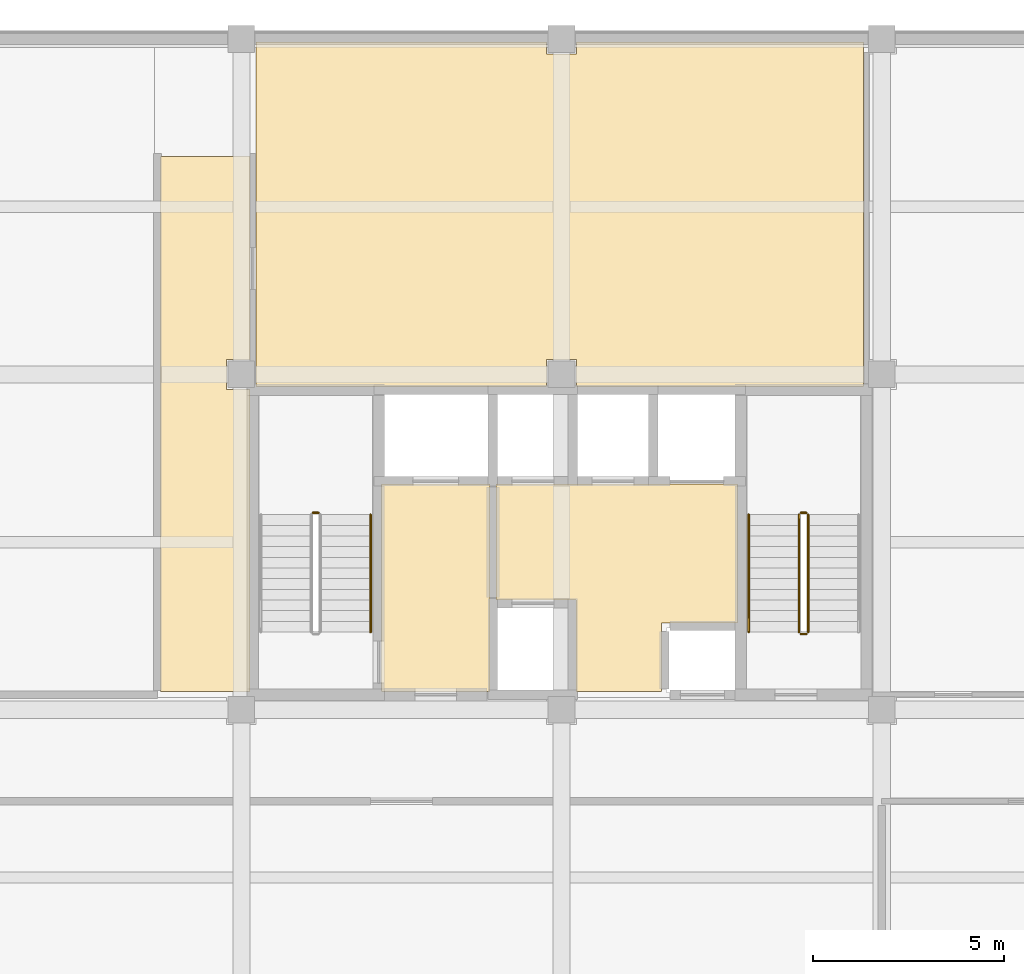
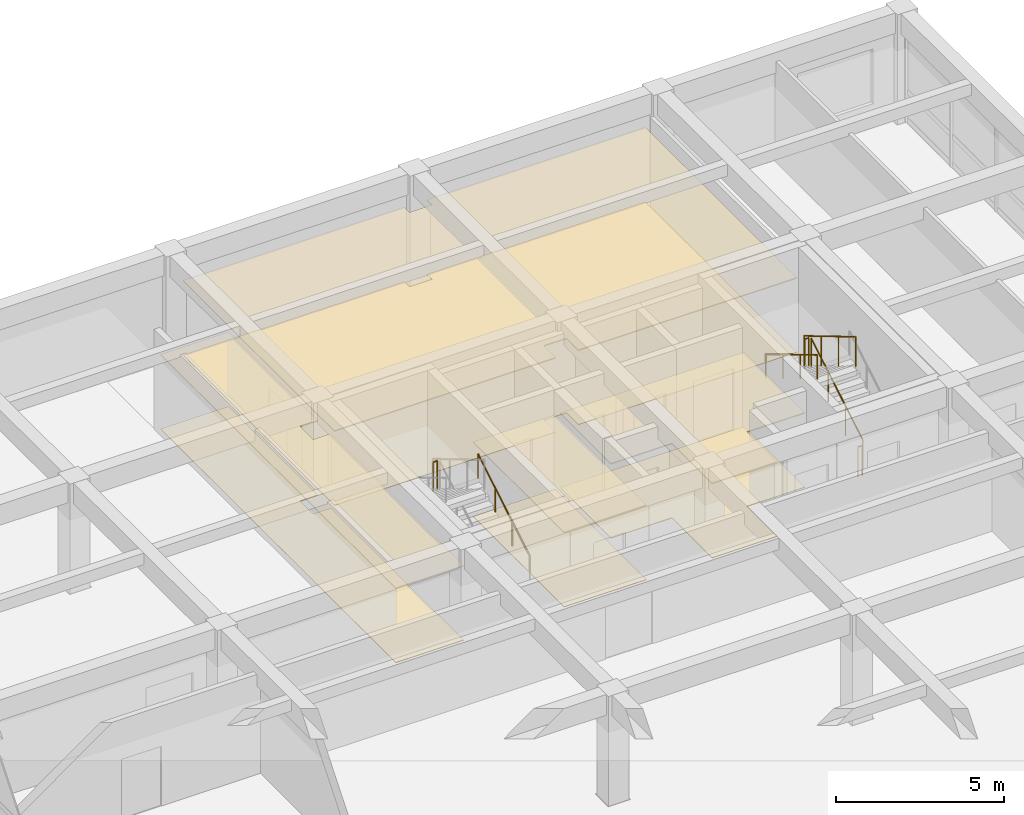
# One storey, part 13 of 14: 8 coverings, 7 railings.
"""IFC4 building model written with IfcOpenShell, lengths in metres."""

from ifc_helpers import new_model, si_unit, direction, frame, origin, origin_2d, place, context, subcontext, project, spatial, polyline, circle, outline, extrude, material, layer, layer_set, type_object, element, save


model = new_model("IFC4")

# Units and contexts
model_context = context("Model", 3, precision=1e-05, world=origin(), true_north=direction((0.0, 1.0)))
body_context = subcontext(model_context, "Body", "Model", "MODEL_VIEW")
ifc_project = project(units=[si_unit("LENGTHUNIT", "METRE"), si_unit("AREAUNIT", "SQUARE_METRE"), si_unit("VOLUMEUNIT", "CUBIC_METRE"), si_unit("PLANEANGLEUNIT", "RADIAN"), si_unit("MASSUNIT", "GRAM", prefix="KILO")], contexts=[model_context])

# Site, building, storey
site_placement = place(None, origin())
site = spatial("IfcSite", under=ifc_project, at=site_placement, CompositionType="ELEMENT")
building_placement = place(site_placement, origin())
building = spatial("IfcBuilding", under=site, at=building_placement, Name="Kemercrest Conservatory and Botanical Centre", CompositionType="ELEMENT")
storey_placement = place(building_placement, frame((0.0, 0.0, 32.800048828125)))
storey = spatial("IfcBuildingStorey", under=building, at=storey_placement, Name="L08", CompositionType="ELEMENT", Elevation=32.800048828125)

# Coverings
ifc_material_1 = material(Name="Perforated acoustic gypsum and mineral-fibre suspended ceiling", Category="gypsum")
ifc_layer_1 = layer(ifc_material_1, 0.034912109375)
ifc_layer_set_1 = layer_set([ifc_layer_1], Name="Perforated acoustic gypsum and mineral-fibre suspended ceiling")
covering_type_1 = type_object("IfcCoveringType", Name="CV-CLG035", PredefinedType="CEILING", material=ifc_layer_set_1)
covering_1_placement = place(storey_placement, frame((0.0, 0.0, 2.699951171875)))
element("IfcCovering", 1, at=covering_1_placement, inside=storey, type_object=covering_type_1, Name="Firefighting Lobby suspended acoustic ceiling", PredefinedType="CEILING", context=body_context, shape_type="SweptSolid", body=[
    extrude(outline(polyline([(154.47998046875, 105.280029296875), (157.320068359375, 105.280029296875), (157.320068359375, 110.719970703125), (154.47998046875, 110.719970703125), (154.47998046875, 105.280029296875)])), origin(), (0.0, 0.0, 1.0), 0.034912109375),
])
covering_2_placement = place(storey_placement, frame((0.0, 0.0, 2.699951171875)))
element("IfcCovering", 2, at=covering_2_placement, inside=storey, type_object=covering_type_1, Name="Tower Lift Lobby suspended acoustic ceiling", PredefinedType="CEILING", context=body_context, shape_type="SweptSolid", body=[
    extrude(outline(polyline([(159.580078125, 107.679931640625), (159.580078125, 105.280029296875), (161.820068359375, 105.280029296875), (161.820068359375, 107.080078125), (163.820068359375, 107.080078125), (163.820068359375, 110.719970703125), (157.47998046875, 110.719970703125), (157.47998046875, 107.679931640625), (159.580078125, 107.679931640625)])), origin(), (0.0, 0.0, 1.0), 0.034912109375),
])
covering_3_placement = place(storey_placement, frame((0.0, 0.0, 2.699951171875)))
element("IfcCovering", 3, at=covering_3_placement, inside=storey, type_object=covering_type_1, Name="Archival Conservation Office suspended acoustic ceiling", PredefinedType="CEILING", context=body_context, shape_type="SweptSolid", body=[
    extrude(outline(polyline([(159.590087890625, 113.280029296875), (167.1201171875, 113.280029296875), (167.1201171875, 122.320068359375), (159.590087890625, 122.320068359375), (159.590087890625, 122.010009765625), (158.81005859375, 122.010009765625), (158.81005859375, 122.320068359375), (151.18994140625, 122.320068359375), (151.18994140625, 122.010009765625), (151.179931640625, 122.010009765625), (151.179931640625, 113.989990234375), (151.18994140625, 113.989990234375), (151.18994140625, 113.280029296875), (158.81005859375, 113.280029296875), (158.81005859375, 113.989990234375), (159.590087890625, 113.989990234375), (159.590087890625, 113.280029296875)])), origin(), (0.0, 0.0, 1.0), 0.034912109375),
])
covering_4_placement = place(storey_placement, frame((0.0, 0.0, 2.699951171875)))
element("IfcCovering", 4, at=covering_4_placement, inside=storey, type_object=covering_type_1, Name="North Core Lobby Branch suspended acoustic ceiling", PredefinedType="CEILING", context=body_context, shape_type="SweptSolid", body=[
    extrude(outline(polyline([(148.679931640625, 105.280029296875), (151.02001953125, 105.280029296875), (151.02001953125, 113.2099609375), (150.409912109375, 113.2099609375), (150.409912109375, 113.989990234375), (151.02001953125, 113.989990234375), (151.02001953125, 119.320068359375), (148.679931640625, 119.320068359375), (148.679931640625, 105.280029296875)])), origin(), (0.0, 0.0, 1.0), 0.034912109375),
])
ifc_material_2 = material(Name="Polished limestone terrazzo and seamless laboratory epoxy flooring", Category="masonry")
ifc_layer_2 = layer(ifc_material_2, 0.02001953125)
ifc_layer_set_2 = layer_set([ifc_layer_2], Name="Polished limestone terrazzo and seamless laboratory epoxy flooring")
covering_type_2 = type_object("IfcCoveringType", Name="CV-FLR020", PredefinedType="FLOORING", material=ifc_layer_set_2)
covering_5_placement = place(storey_placement, origin())
element("IfcCovering", 5, at=covering_5_placement, inside=storey, type_object=covering_type_2, Name="Firefighting Lobby floor finish", PredefinedType="FLOORING", context=body_context, shape_type="SweptSolid", body=[
    extrude(outline(polyline([(154.47998046875, 105.280029296875), (157.320068359375, 105.280029296875), (157.320068359375, 110.719970703125), (154.47998046875, 110.719970703125), (154.47998046875, 105.280029296875)])), origin(), (0.0, 0.0, 1.0), 0.02001953125),
])
covering_6_placement = place(storey_placement, origin())
element("IfcCovering", 6, at=covering_6_placement, inside=storey, type_object=covering_type_2, Name="Tower Lift Lobby floor finish", PredefinedType="FLOORING", context=body_context, shape_type="SweptSolid", body=[
    extrude(outline(polyline([(159.580078125, 107.679931640625), (159.580078125, 105.280029296875), (161.820068359375, 105.280029296875), (161.820068359375, 107.080078125), (163.820068359375, 107.080078125), (163.820068359375, 110.719970703125), (157.47998046875, 110.719970703125), (157.47998046875, 107.679931640625), (159.580078125, 107.679931640625)])), origin(), (0.0, 0.0, 1.0), 0.02001953125),
])
covering_7_placement = place(storey_placement, origin())
element("IfcCovering", 7, at=covering_7_placement, inside=storey, type_object=covering_type_2, Name="Archival Conservation Office floor finish", PredefinedType="FLOORING", context=body_context, shape_type="SweptSolid", body=[
    extrude(outline(polyline([(159.590087890625, 113.280029296875), (167.1201171875, 113.280029296875), (167.1201171875, 122.320068359375), (159.590087890625, 122.320068359375), (159.590087890625, 122.010009765625), (158.81005859375, 122.010009765625), (158.81005859375, 122.320068359375), (151.18994140625, 122.320068359375), (151.18994140625, 122.010009765625), (151.179931640625, 122.010009765625), (151.179931640625, 113.989990234375), (151.18994140625, 113.989990234375), (151.18994140625, 113.280029296875), (158.81005859375, 113.280029296875), (158.81005859375, 113.989990234375), (159.590087890625, 113.989990234375), (159.590087890625, 113.280029296875)])), origin(), (0.0, 0.0, 1.0), 0.02001953125),
])
covering_8_placement = place(storey_placement, origin())
element("IfcCovering", 8, at=covering_8_placement, inside=storey, type_object=covering_type_2, Name="North Core Lobby Branch floor finish", PredefinedType="FLOORING", context=body_context, shape_type="SweptSolid", body=[
    extrude(outline(polyline([(148.679931640625, 105.280029296875), (151.02001953125, 105.280029296875), (151.02001953125, 113.2099609375), (150.409912109375, 113.2099609375), (150.409912109375, 113.989990234375), (151.02001953125, 113.989990234375), (151.02001953125, 119.320068359375), (148.679931640625, 119.320068359375), (148.679931640625, 105.280029296875)])), origin(), (0.0, 0.0, 1.0), 0.02001953125),
])

# Railings
ifc_material_3 = material(Name="Painted galvanized steel tubular stair guardrail", Category="steel")
railing_type_1 = type_object("IfcRailingType", Name="GR-STR110", PredefinedType="GUARDRAIL", material=ifc_material_3)
railing_1_placement = place(storey_placement, frame((152.820068359375, 109.969970703125, 2.0)))
element("IfcRailing", 9, at=railing_1_placement, inside=storey, type_object=railing_type_1, Name="L08 ST-V4A stair guard 2", PredefinedType="GUARDRAIL", context=body_context, shape_type="SweptSolid", body=[
    extrude(circle(Radius=0.02392578125, at=origin_2d()), frame((0.0, 0.0, 1.076171875), z_axis=(-1.0, 0.0, 0.0), x_axis=(0.0, -1.0, 0.0)), (0.0, 0.0, 1.0), 0.14013671875),
    extrude(circle(Radius=0.02099609375, at=origin_2d()), origin(), (0.0, 0.0, 1.0), 1.052001953125),
    extrude(circle(Radius=0.02099609375, at=origin_2d()), frame((-0.14013671875, 0.0, 0.0)), (0.0, 0.0, 1.0), 1.052001953125),
])
railing_2_placement = place(storey_placement, frame((165.669921875, 106.840087890625, 0.16650390625)))
element("IfcRailing", 10, at=railing_2_placement, inside=storey, type_object=railing_type_1, Name="L08 ST-V4B stair guard 1", PredefinedType="GUARDRAIL", context=body_context, shape_type="SweptSolid", body=[
    extrude(circle(Radius=0.02392578125, at=origin_2d()), frame((0.0, 0.0, 1.076171875), z_axis=(0.0, 0.859260807169, 0.511537745687), x_axis=(-1.0, 0.0, 0.0)), (0.0, 0.0, 1.0), 3.584228515625),
    extrude(circle(Radius=0.02099609375, at=origin_2d()), origin(), (0.0, 0.0, 1.0), 1.052001953125),
    extrude(circle(Radius=0.02099609375, at=origin_2d()), frame((0.0, 1.026611328125, 0.611083984375)), (0.0, 0.0, 1.0), 1.052001953125),
    extrude(circle(Radius=0.02099609375, at=origin_2d()), frame((0.0, 2.05322265625, 1.222412109375)), (0.0, 0.0, 1.0), 1.052001953125),
    extrude(circle(Radius=0.02099609375, at=origin_2d()), frame((0.0, 3.079833984375, 1.83349609375)), (0.0, 0.0, 1.0), 1.052001953125),
])
railing_3_placement = place(storey_placement, frame((165.6201171875, 109.969970703125, 2.0)))
element("IfcRailing", 11, at=railing_3_placement, inside=storey, type_object=railing_type_1, Name="L08 ST-V4B stair guard 2", PredefinedType="GUARDRAIL", context=body_context, shape_type="SweptSolid", body=[
    extrude(circle(Radius=0.02392578125, at=origin_2d()), frame((0.0, 0.0, 1.076171875), z_axis=(-1.0, 0.0, 0.0), x_axis=(0.0, -1.0, 0.0)), (0.0, 0.0, 1.0), 0.14013671875),
    extrude(circle(Radius=0.02099609375, at=origin_2d()), origin(), (0.0, 0.0, 1.0), 1.052001953125),
    extrude(circle(Radius=0.02099609375, at=origin_2d()), frame((-0.14013671875, 0.0, 0.0)), (0.0, 0.0, 1.0), 1.052001953125),
])
railing_4_placement = place(storey_placement, frame((165.429931640625, 109.919921875, 2.16650390625)))
element("IfcRailing", 12, at=railing_4_placement, inside=storey, type_object=railing_type_1, Name="L08 ST-V4B stair guard 3", PredefinedType="GUARDRAIL", context=body_context, shape_type="SweptSolid", body=[
    extrude(circle(Radius=0.02392578125, at=origin_2d()), frame((0.0, 0.0, 1.076171875), z_axis=(0.0, -0.859260807169, 0.511537745687), x_axis=(1.0, 0.0, 0.0)), (0.0, 0.0, 1.0), 3.584228515625),
    extrude(circle(Radius=0.02099609375, at=origin_2d()), origin(), (0.0, 0.0, 1.0), 1.052001953125),
    extrude(circle(Radius=0.02099609375, at=origin_2d()), frame((0.0, -1.026611328125, 0.611083984375)), (0.0, 0.0, 1.0), 1.052001953125),
    extrude(circle(Radius=0.02099609375, at=origin_2d()), frame((0.0, -2.05322265625, 1.222412109375)), (0.0, 0.0, 1.0), 1.052001953125),
    extrude(circle(Radius=0.02099609375, at=origin_2d()), frame((0.0, -3.079833984375, 1.83349609375)), (0.0, 0.0, 1.0), 1.052001953125),
])
railing_5_placement = place(storey_placement, frame((165.6201171875, 106.7900390625, 0.0)))
element("IfcRailing", 13, at=railing_5_placement, inside=storey, type_object=railing_type_1, Name="L08 ST-V4B stair guard 4", PredefinedType="GUARDRAIL", context=body_context, shape_type="SweptSolid", body=[
    extrude(circle(Radius=0.02392578125, at=origin_2d()), frame((0.0, 0.0, 1.076171875), z_axis=(-1.0, 0.0, 0.0), x_axis=(0.0, -1.0, 0.0)), (0.0, 0.0, 1.0), 0.14013671875),
    extrude(circle(Radius=0.02099609375, at=origin_2d()), origin(), (0.0, 0.0, 1.0), 1.052001953125),
    extrude(circle(Radius=0.02099609375, at=origin_2d()), frame((-0.14013671875, 0.0, 0.0)), (0.0, 0.0, 1.0), 1.052001953125),
])
ifc_material_4 = material(Name="Brushed stainless steel wall-mounted handrail", Category="steel")
railing_type_2 = type_object("IfcRailingType", Name="HR-STR090", PredefinedType="HANDRAIL", material=ifc_material_4)
railing_6_placement = place(storey_placement, frame((154.18994140625, 106.840087890625, 0.16650390625)))
element("IfcRailing", 14, at=railing_6_placement, inside=storey, type_object=railing_type_2, Name="L08 ST-V4A stair handrail 1", PredefinedType="HANDRAIL", context=body_context, shape_type="SweptSolid", body=[
    extrude(circle(Radius=0.02392578125, at=origin_2d()), frame((0.0, 0.0, 0.8759765625), z_axis=(0.0, 0.859260807169, 0.511537745687), x_axis=(-1.0, 0.0, 0.0)), (0.0, 0.0, 1.0), 3.584228515625),
    extrude(circle(Radius=0.02099609375, at=origin_2d()), origin(), (0.0, 0.0, 1.0), 0.851806640625),
    extrude(circle(Radius=0.02099609375, at=origin_2d()), frame((0.0, 1.026611328125, 0.611083984375)), (0.0, 0.0, 1.0), 0.851806640625),
    extrude(circle(Radius=0.02099609375, at=origin_2d()), frame((0.0, 2.05322265625, 1.222412109375)), (0.0, 0.0, 1.0), 0.851806640625),
    extrude(circle(Radius=0.02099609375, at=origin_2d()), frame((0.0, 3.079833984375, 1.83349609375)), (0.0, 0.0, 1.0), 0.851806640625),
])
railing_7_placement = place(storey_placement, frame((164.110107421875, 109.919921875, 2.16650390625)))
element("IfcRailing", 15, at=railing_7_placement, inside=storey, type_object=railing_type_2, Name="L08 ST-V4B stair handrail 2", PredefinedType="HANDRAIL", context=body_context, shape_type="SweptSolid", body=[
    extrude(circle(Radius=0.02392578125, at=origin_2d()), frame((0.0, 0.0, 0.8759765625), z_axis=(0.0, -0.859260807169, 0.511537745687), x_axis=(1.0, 0.0, 0.0)), (0.0, 0.0, 1.0), 3.584228515625),
    extrude(circle(Radius=0.02099609375, at=origin_2d()), origin(), (0.0, 0.0, 1.0), 0.851806640625),
    extrude(circle(Radius=0.02099609375, at=origin_2d()), frame((0.0, -1.026611328125, 0.611083984375)), (0.0, 0.0, 1.0), 0.851806640625),
    extrude(circle(Radius=0.02099609375, at=origin_2d()), frame((0.0, -2.05322265625, 1.222412109375)), (0.0, 0.0, 1.0), 0.851806640625),
    extrude(circle(Radius=0.02099609375, at=origin_2d()), frame((0.0, -3.079833984375, 1.83349609375)), (0.0, 0.0, 1.0), 0.851806640625),
])

save(model, "model.ifc")
